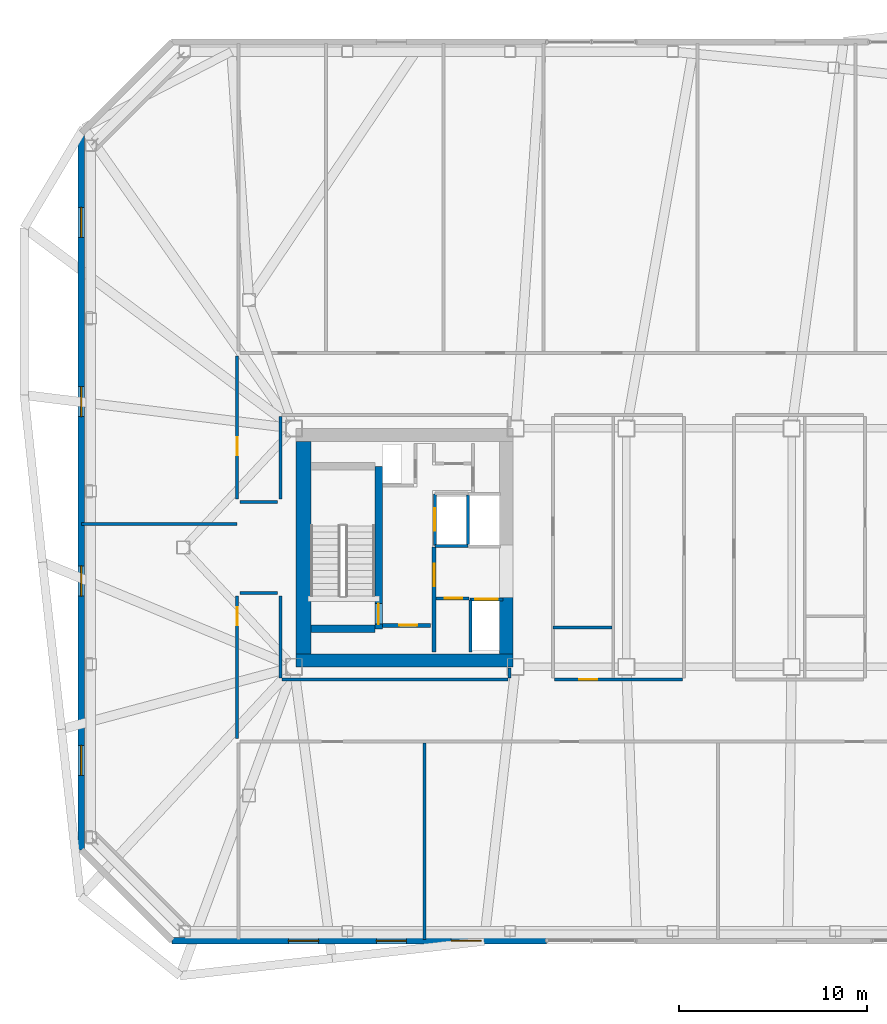
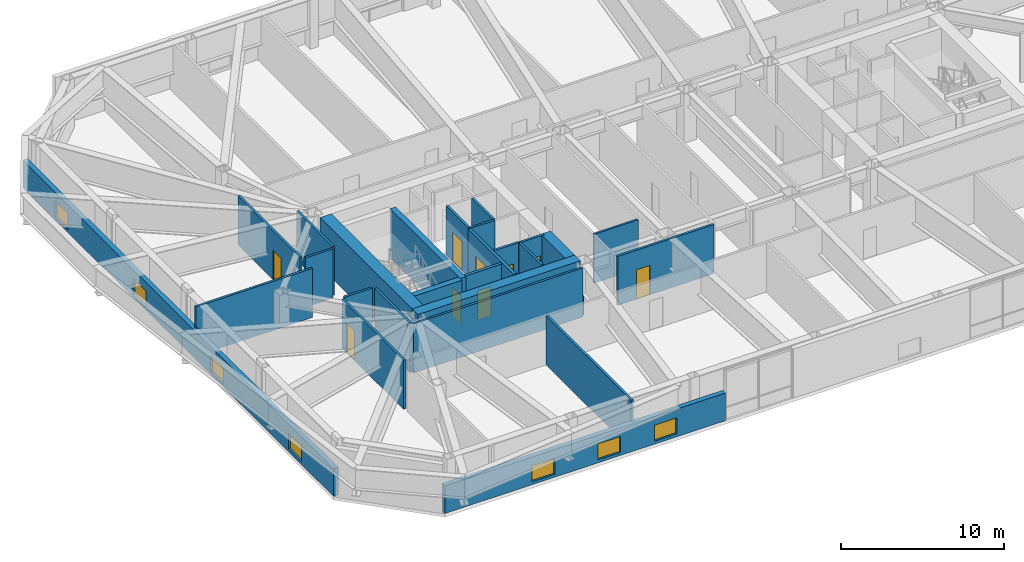
# One storey, part 12 of 19: 27 walls, 9 doors, 7 windows, 16 openings.
"""IFC4 building model written with IfcOpenShell, lengths in metres."""

from ifc_helpers import new_model, si_unit, direction, frame, frame_2d, origin, place, context, subcontext, project, spatial, rectangle, extrude, material, layer, layer_set, type_object, element, fill, save


model = new_model("IFC4")

# Units and contexts
model_context = context("Model", 3, precision=1e-05, world=origin(), true_north=direction((0.0, 1.0)))
body_context = subcontext(model_context, "Body", "Model", "MODEL_VIEW")
ifc_project = project(units=[si_unit("LENGTHUNIT", "METRE"), si_unit("AREAUNIT", "SQUARE_METRE"), si_unit("VOLUMEUNIT", "CUBIC_METRE"), si_unit("PLANEANGLEUNIT", "RADIAN"), si_unit("MASSUNIT", "GRAM", prefix="KILO")], contexts=[model_context])

# Site, building, storey
site_placement = place(None, origin())
site = spatial("IfcSite", under=ifc_project, at=site_placement, CompositionType="ELEMENT")
building_placement = place(site_placement, origin())
building = spatial("IfcBuilding", under=site, at=building_placement, Name="Tavrogorsk Clinical Tower", CompositionType="ELEMENT")
storey_placement = place(building_placement, frame((0.0, 0.0, 204.199951171875)))
storey = spatial("IfcBuildingStorey", under=building, at=storey_placement, Name="L47", CompositionType="ELEMENT", Elevation=204.199951171875)

# Wall, opening, door
ifc_material_1 = material(Name="Concrete B60", Category="concrete")
ifc_layer_1 = layer(ifc_material_1, 0.199951171875)
ifc_layer_set_1 = layer_set([ifc_layer_1], Name="Concrete B60")
wall_type_1 = type_object("IfcWallType", Name="CoreFireWall_200", PredefinedType="SOLIDWALL", material=ifc_layer_set_1)
wall_1_placement = place(storey_placement, frame((-17.3798828125, -4.139892578125, 0.0), z_axis=(0.0, 0.0, 1.0), x_axis=(1.0, 0.0, 0.0)))
wall_1 = element("IfcWall", 1, at=wall_1_placement, inside=storey, type_object=wall_type_1, Name="L47 Core West South Core Room Fire Wall", PredefinedType="SOLIDWALL", context=body_context, shape_type="SweptSolid", body=[
    extrude(rectangle(XDim=2.554931640625, YDim=0.199951171875, at=frame_2d((1.27734375, 0.0))), origin(), (0.0, 0.0, 1.0), 3.679931640625),
])
opening_1_placement = place(wall_1_placement, frame((0.8798828125, 0.0, 0.0)))
opening_1 = element("IfcOpeningElement", 2, at=opening_1_placement, cuts=wall_1, Name="Opening ID-02", PredefinedType="OPENING", context=body_context, shape_type="SweptSolid", body=[
    extrude(rectangle(XDim=0.949951171875, YDim=2.199951171875, at=frame_2d((0.47509765625, 1.10009765625))), frame((0.0, 0.10986328125, 0.0), z_axis=(0.0, -1.0, 0.0), x_axis=(1.0, 0.0, 0.0)), (0.0, 0.0, 1.0), 0.219970703125),
])
ifc_material_2 = material(Name="Laminated timber leaf on aluminium frame", Category="wood")
door_type_1 = type_object("IfcDoorType", Name="InteriorDoor_ID02_950", OperationType="NOTDEFINED", PredefinedType="DOOR", material=ifc_material_2)
door_1_placement = place(opening_1_placement, origin())
door_1 = element("IfcDoor", 3, at=door_1_placement, inside=storey, type_object=door_type_1, Name="L47 Core West South Core Room Door", OperationType="SINGLE_SWING_RIGHT", OverallHeight=2.199951171875, OverallWidth=0.949951171875, PredefinedType="DOOR", context=body_context, shape_type="SweptSolid", body=[
    extrude(rectangle(XDim=0.949951171875, YDim=2.199951171875, at=frame_2d((0.47509765625, 1.10009765625))), frame((0.0, 0.02490234375, 0.0), z_axis=(0.0, -1.0, 0.0), x_axis=(1.0, 0.0, 0.0)), (0.0, 0.0, 1.0), 0.050048828125),
])
fill(opening_1, door_1)

wall_2_placement = place(storey_placement, frame((-14.639892578125, -5.56005859375, 0.0), z_axis=(0.0, 0.0, 1.0), x_axis=(0.0, 1.0, 0.0)))
wall_2 = element("IfcWall", 4, at=wall_2_placement, inside=storey, type_object=wall_type_1, Name="L47 Core West Firefighting Lobby Fire Wall", PredefinedType="SOLIDWALL", context=body_context, shape_type="SweptSolid", body=[
    extrude(rectangle(XDim=5.60009765625, YDim=0.199951171875, at=frame_2d((2.800048828125, 0.0))), origin(), (0.0, 0.0, 1.0), 3.679931640625),
])
opening_2_placement = place(wall_2_placement, frame((3.510009765625, 0.0, 0.0)))
opening_2 = element("IfcOpeningElement", 5, at=opening_2_placement, cuts=wall_2, Name="Opening FD-01", PredefinedType="OPENING", context=body_context, shape_type="SweptSolid", body=[
    extrude(rectangle(XDim=1.199951171875, YDim=2.199951171875, at=frame_2d((0.60009765625, 1.10009765625))), frame((0.0, 0.10986328125, 0.0), z_axis=(0.0, -1.0, 0.0), x_axis=(1.0, 0.0, 0.0)), (0.0, 0.0, 1.0), 0.219970703125),
])
ifc_material_3 = material(Name="Galvanised steel fire-rated door assembly", Category="steel")
door_type_2 = type_object("IfcDoorType", Name="FireDoor_FD01_1200", OperationType="NOTDEFINED", PredefinedType="DOOR", material=ifc_material_3)
door_2_placement = place(opening_2_placement, origin())
door_2 = element("IfcDoor", 6, at=door_2_placement, inside=storey, type_object=door_type_2, Name="L47 Core West Firefighting Lobby Entry Door", OperationType="SINGLE_SWING_RIGHT", OverallHeight=2.199951171875, OverallWidth=1.199951171875, PredefinedType="DOOR", context=body_context, shape_type="SweptSolid", body=[
    extrude(rectangle(XDim=1.199951171875, YDim=2.199951171875, at=frame_2d((0.60009765625, 1.10009765625))), frame((0.0, 0.02490234375, 0.0), z_axis=(0.0, -1.0, 0.0), x_axis=(1.0, 0.0, 0.0)), (0.0, 0.0, 1.0), 0.050048828125),
])
fill(opening_2, door_2)

# Wall
ifc_material_4 = material(Name="Lightweight concrete blockwork B15", Category="masonry")
ifc_layer_2 = layer(ifc_material_4, 0.139892578125)
ifc_layer_set_2 = layer_set([ifc_layer_2], Name="Lightweight concrete blockwork B15")
wall_type_2 = type_object("IfcWallType", Name="PartitionWall_140", PredefinedType="PARTITIONING", material=ifc_layer_set_2)
wall_3_placement = place(storey_placement, frame((-8.31494140625, -4.25, 0.0), z_axis=(0.0, 0.0, 1.0), x_axis=(1.0, 0.0, 0.0)))
element("IfcWall", 7, at=wall_3_placement, inside=storey, type_object=wall_type_2, Name="L47 Central Spine Partition 3", PredefinedType="PARTITIONING", context=body_context, shape_type="SweptSolid", body=[
    extrude(rectangle(XDim=3.139892578125, YDim=0.139892578125, at=frame_2d((1.56982421875, 0.0))), origin(), (0.0, 0.0, 1.0), 3.679931640625),
])

# Wall, opening, door
ifc_material_5 = material(Name="Lightweight concrete blockwork B15", Category="masonry")
ifc_layer_3 = layer(ifc_material_5, 0.159912109375)
ifc_layer_set_3 = layer_set([ifc_layer_3], Name="Lightweight concrete blockwork B15")
wall_type_3 = type_object("IfcWallType", Name="PartitionWall_160", PredefinedType="PARTITIONING", material=ifc_layer_set_3)
wall_4_placement = place(storey_placement, frame((-14.534912109375, -2.699951171875, 0.0), z_axis=(0.0, 0.0, 1.0), x_axis=(1.0, 0.0, 0.0)))
wall_4 = element("IfcWall", 8, at=wall_4_placement, inside=storey, type_object=wall_type_3, Name="L47 Core West Freed Low-Bank North Partition", PredefinedType="PARTITIONING", context=body_context, shape_type="SweptSolid", body=[
    extrude(rectangle(XDim=1.760009765625, YDim=0.159912109375, at=frame_2d((0.8798828125, 0.0))), origin(), (0.0, 0.0, 1.0), 3.679931640625),
])
opening_3_placement = place(wall_4_placement, frame((0.449951171875, 0.0, 0.0)))
opening_3 = element("IfcOpeningElement", 9, at=opening_3_placement, cuts=wall_4, Name="Opening ID-02", PredefinedType="OPENING", context=body_context, shape_type="SweptSolid", body=[
    extrude(rectangle(XDim=0.949951171875, YDim=2.199951171875, at=frame_2d((0.47509765625, 1.10009765625))), frame((0.0, 0.08984375, 0.0), z_axis=(0.0, -1.0, 0.0), x_axis=(1.0, 0.0, 0.0)), (0.0, 0.0, 1.0), 0.179931640625),
])
door_3_placement = place(opening_3_placement, origin())
door_3 = element("IfcDoor", 10, at=door_3_placement, inside=storey, type_object=door_type_1, Name="L47 Core West Biomedical Alcove Door", OperationType="SINGLE_SWING_LEFT", OverallHeight=2.199951171875, OverallWidth=0.949951171875, PredefinedType="DOOR", context=body_context, shape_type="SweptSolid", body=[
    extrude(rectangle(XDim=0.949951171875, YDim=2.199951171875, at=frame_2d((0.47509765625, 1.10009765625))), frame((0.0, 0.02490234375, 0.0), z_axis=(0.0, -1.0, 0.0), x_axis=(1.0, 0.0, 0.0)), (0.0, 0.0, 1.0), 0.050048828125),
])
fill(opening_3, door_3)

wall_5_placement = place(storey_placement, frame((-25.1298828125, -10.1650390625, 0.0), z_axis=(0.0, 0.0, 1.0), x_axis=(0.0, 1.0, 0.0)))
wall_5 = element("IfcWall", 11, at=wall_5_placement, inside=storey, type_object=wall_type_3, Name="L47 Corridor Partition 01", PredefinedType="PARTITIONING", context=body_context, shape_type="SweptSolid", body=[
    extrude(rectangle(XDim=7.580078125, YDim=0.159912109375, at=frame_2d((3.7900390625, 0.0))), origin(), (0.0, 0.0, 1.0), 3.679931640625),
])
opening_4_placement = place(wall_5_placement, frame((6.0400390625, 0.0, 0.0)))
opening_4 = element("IfcOpeningElement", 12, at=opening_4_placement, cuts=wall_5, Name="Opening ID-02", PredefinedType="OPENING", context=body_context, shape_type="SweptSolid", body=[
    extrude(rectangle(XDim=0.949951171875, YDim=2.199951171875, at=frame_2d((0.47509765625, 1.10009765625))), frame((0.0, 0.08984375, 0.0), z_axis=(0.0, -1.0, 0.0), x_axis=(1.0, 0.0, 0.0)), (0.0, 0.0, 1.0), 0.179931640625),
])
door_4_placement = place(opening_4_placement, origin())
door_4 = element("IfcDoor", 13, at=door_4_placement, inside=storey, type_object=door_type_1, Name="L47 W Solarium Day Room & Lounge 1 Door", OperationType="SINGLE_SWING_LEFT", OverallHeight=2.199951171875, OverallWidth=0.949951171875, PredefinedType="DOOR", context=body_context, shape_type="SweptSolid", body=[
    extrude(rectangle(XDim=0.949951171875, YDim=2.199951171875, at=frame_2d((0.47509765625, 1.10009765625))), frame((0.0, 0.02490234375, 0.0), z_axis=(0.0, -1.0, 0.0), x_axis=(1.0, 0.0, 0.0)), (0.0, 0.0, 1.0), 0.050048828125),
])
fill(opening_4, door_4)

# Walls
wall_6_placement = place(storey_placement, frame((-24.965087890625, -2.419921875, 0.0), z_axis=(0.0, 0.0, 1.0), x_axis=(1.0, 0.0, 0.0)))
element("IfcWall", 14, at=wall_6_placement, inside=storey, type_object=wall_type_3, Name="L47 Corridor Partition 02", PredefinedType="PARTITIONING", context=body_context, shape_type="SweptSolid", body=[
    extrude(rectangle(XDim=1.97998046875, YDim=0.159912109375, at=frame_2d((0.989990234375, 0.0))), origin(), (0.0, 0.0, 1.0), 3.679931640625),
])
wall_7_placement = place(storey_placement, frame((-22.820068359375, -2.5849609375, 0.0), z_axis=(0.0, 0.0, 1.0), x_axis=(0.0, -1.0, 0.0)))
element("IfcWall", 15, at=wall_7_placement, inside=storey, type_object=wall_type_3, Name="L47 Corridor Partition 03", PredefinedType="PARTITIONING", context=body_context, shape_type="SweptSolid", body=[
    extrude(rectangle(XDim=4.35009765625, YDim=0.159912109375, at=frame_2d((2.175048828125, 0.0))), origin(), (0.0, 0.0, 1.0), 3.679931640625),
])
wall_8_placement = place(storey_placement, frame((-22.735107421875, -7.02001953125, 0.0), z_axis=(0.0, 0.0, 1.0), x_axis=(1.0, 0.0, 0.0)))
element("IfcWall", 16, at=wall_8_placement, inside=storey, type_object=wall_type_3, Name="L47 Corridor Partition 04", PredefinedType="PARTITIONING", context=body_context, shape_type="SweptSolid", body=[
    extrude(rectangle(XDim=12.02001953125, YDim=0.159912109375, at=frame_2d((6.010009765625, 0.0))), origin(), (0.0, 0.0, 1.0), 3.679931640625),
])
wall_9_placement = place(storey_placement, frame((-10.6298828125, -6.93505859375, 0.0), z_axis=(0.0, 0.0, 1.0), x_axis=(0.0, 1.0, 0.0)))
element("IfcWall", 17, at=wall_9_placement, inside=storey, type_object=wall_type_3, Name="L47 Corridor Partition 05", PredefinedType="PARTITIONING", context=body_context, shape_type="SweptSolid", body=[
    extrude(rectangle(XDim=0.51513671875, YDim=0.159912109375, at=frame_2d((0.257568359375, 0.0))), origin(), (0.0, 0.0, 1.0), 1.47509765625),
])
wall_10_placement = place(storey_placement, frame((-22.820068359375, 6.985107421875, 0.0), z_axis=(0.0, 0.0, 1.0), x_axis=(0.0, -1.0, 0.0)))
element("IfcWall", 18, at=wall_10_placement, inside=storey, type_object=wall_type_3, Name="L47 Corridor Partition 08", PredefinedType="PARTITIONING", context=body_context, shape_type="SweptSolid", body=[
    extrude(rectangle(XDim=4.400146484375, YDim=0.159912109375, at=frame_2d((2.2001953125, 0.0))), origin(), (0.0, 0.0, 1.0), 3.679931640625),
])
wall_11_placement = place(storey_placement, frame((-22.985107421875, 2.419921875, 0.0), z_axis=(0.0, 0.0, 1.0), x_axis=(-1.0, 0.0, 0.0)))
element("IfcWall", 19, at=wall_11_placement, inside=storey, type_object=wall_type_3, Name="L47 Corridor Partition 09", PredefinedType="PARTITIONING", context=body_context, shape_type="SweptSolid", body=[
    extrude(rectangle(XDim=1.97998046875, YDim=0.159912109375, at=frame_2d((0.989990234375, 0.0))), origin(), (0.0, 0.0, 1.0), 3.679931640625),
])

# Wall, opening, door
wall_12_placement = place(storey_placement, frame((-25.1298828125, 2.5849609375, 0.0), z_axis=(0.0, 0.0, 1.0), x_axis=(0.0, 1.0, 0.0)))
wall_12 = element("IfcWall", 20, at=wall_12_placement, inside=storey, type_object=wall_type_3, Name="L47 Corridor Partition 10", PredefinedType="PARTITIONING", context=body_context, shape_type="SweptSolid", body=[
    extrude(rectangle(XDim=7.630126953125, YDim=0.159912109375, at=frame_2d((3.81494140625, 0.0))), origin(), (0.0, 0.0, 1.0), 3.679931640625),
])
opening_5_placement = place(wall_12_placement, frame((2.344970703125, 0.0, 0.0)))
opening_5 = element("IfcOpeningElement", 21, at=opening_5_placement, cuts=wall_12, Name="Opening ID-02", PredefinedType="OPENING", context=body_context, shape_type="SweptSolid", body=[
    extrude(rectangle(XDim=0.949951171875, YDim=2.199951171875, at=frame_2d((0.47509765625, 1.10009765625))), frame((0.0, 0.08984375, 0.0), z_axis=(0.0, -1.0, 0.0), x_axis=(1.0, 0.0, 0.0)), (0.0, 0.0, 1.0), 0.179931640625),
])
door_5_placement = place(opening_5_placement, origin())
door_5 = element("IfcDoor", 22, at=door_5_placement, inside=storey, type_object=door_type_1, Name="L47 W Rehabilitation Therapy Suite 2 Door", OperationType="SINGLE_SWING_RIGHT", OverallHeight=2.199951171875, OverallWidth=0.949951171875, PredefinedType="DOOR", context=body_context, shape_type="SweptSolid", body=[
    extrude(rectangle(XDim=0.949951171875, YDim=2.199951171875, at=frame_2d((0.47509765625, 1.10009765625))), frame((0.0, 0.02490234375, 0.0), z_axis=(0.0, -1.0, 0.0), x_axis=(1.0, 0.0, 0.0)), (0.0, 0.0, 1.0), 0.050048828125),
])
fill(opening_5, door_5)

wall_13_placement = place(storey_placement, frame((-8.235107421875, -7.02001953125, 0.0), z_axis=(0.0, 0.0, 1.0), x_axis=(1.0, 0.0, 0.0)))
wall_13 = element("IfcWall", 23, at=wall_13_placement, inside=storey, type_object=wall_type_3, Name="L47 Corridor Partition 26", PredefinedType="PARTITIONING", context=body_context, shape_type="SweptSolid", body=[
    extrude(rectangle(XDim=6.820068359375, YDim=0.159912109375, at=frame_2d((3.41015625, 0.0))), origin(), (0.0, 0.0, 1.0), 3.679931640625),
])
opening_6_placement = place(wall_13_placement, frame((1.3291015625, 0.0, 0.0)))
opening_6 = element("IfcOpeningElement", 24, at=opening_6_placement, cuts=wall_13, Name="Opening ID-02", PredefinedType="OPENING", context=body_context, shape_type="SweptSolid", body=[
    extrude(rectangle(XDim=0.949951171875, YDim=2.199951171875, at=frame_2d((0.47509765625, 1.10009765625))), frame((0.0, 0.08984375, 0.0), z_axis=(0.0, -1.0, 0.0), x_axis=(1.0, 0.0, 0.0)), (0.0, 0.0, 1.0), 0.179931640625),
])
door_6_placement = place(opening_6_placement, origin())
door_6 = element("IfcDoor", 25, at=door_6_placement, inside=storey, type_object=door_type_1, Name="L47 Accessible Patient Lavatory Door", OperationType="SINGLE_SWING_LEFT", OverallHeight=2.199951171875, OverallWidth=0.949951171875, PredefinedType="DOOR", context=body_context, shape_type="SweptSolid", body=[
    extrude(rectangle(XDim=0.949951171875, YDim=2.199951171875, at=frame_2d((0.47509765625, 1.10009765625))), frame((0.0, 0.02490234375, 0.0), z_axis=(0.0, -1.0, 0.0), x_axis=(1.0, 0.0, 0.0)), (0.0, 0.0, 1.0), 0.050048828125),
])
fill(opening_6, door_6)

# Walls
wall_14_placement = place(storey_placement, frame((-15.159912109375, -20.860107421875, 0.0), z_axis=(0.0, 0.0, 1.0), x_axis=(0.0, 1.0, 0.0)))
element("IfcWall", 26, at=wall_14_placement, inside=storey, type_object=wall_type_3, Name="L47 South Room Partition 1", PredefinedType="PARTITIONING", context=body_context, shape_type="SweptSolid", body=[
    extrude(rectangle(XDim=10.445068359375, YDim=0.159912109375, at=frame_2d((5.22265625, 0.0))), origin(), (0.0, 0.0, 1.0), 3.679931640625),
])
wall_15_placement = place(storey_placement, frame((-33.409912109375, 1.25, 0.0), z_axis=(0.0, 0.0, 1.0), x_axis=(1.0, 0.0, 0.0)))
element("IfcWall", 27, at=wall_15_placement, inside=storey, type_object=wall_type_3, Name="L47 W Wing Divider 1", PredefinedType="PARTITIONING", context=body_context, shape_type="SweptSolid", body=[
    extrude(rectangle(XDim=8.280029296875, YDim=0.159912109375, at=frame_2d((4.14013671875, 0.0))), origin(), (0.0, 0.0, 1.0), 3.679931640625),
])

# Wall, openings, windows
ifc_material_6 = material(Name="Precast concrete B45 with limestone cladding", Category="masonry")
ifc_layer_4 = layer(ifc_material_6, 0.340087890625)
ifc_layer_set_4 = layer_set([ifc_layer_4], Name="Precast concrete B45 with limestone cladding")
wall_type_4 = type_object("IfcWallType", Name="PrecastLimestoneWall_340", PredefinedType="STANDARD", material=ifc_layer_set_4)
wall_16_placement = place(storey_placement, frame((-28.60009765625, -20.929931640625, 0.0), z_axis=(0.0, 0.0, 1.0), x_axis=(1.0, 0.0, 0.0)))
wall_16 = element("IfcWall", 28, at=wall_16_placement, inside=storey, type_object=wall_type_4, Name="L47 S Limestone Facade Wall 1", PredefinedType="STANDARD", context=body_context, shape_type="SweptSolid", body=[
    extrude(rectangle(XDim=19.937255859375, YDim=0.340087890625, at=frame_2d((9.96875, 0.0))), origin(), (0.0, 0.0, 1.0), 2.074951171875),
])
opening_7_placement = place(wall_16_placement, frame((6.203857421875, 0.0, 0.219970703125)))
opening_7 = element("IfcOpeningElement", 29, at=opening_7_placement, cuts=wall_16, Name="Opening WN-09", PredefinedType="OPENING", context=body_context, shape_type="SweptSolid", body=[
    extrude(rectangle(XDim=1.60009765625, YDim=1.199951171875, at=frame_2d((0.800048828125, 0.60009765625))), frame((0.0, 0.179931640625, 0.0), z_axis=(0.0, -1.0, 0.0), x_axis=(1.0, 0.0, 0.0)), (0.0, 0.0, 1.0), 0.360107421875),
])
opening_8_placement = place(wall_16_placement, frame((10.8818359375, 0.0, 0.219970703125)))
opening_8 = element("IfcOpeningElement", 30, at=opening_8_placement, cuts=wall_16, Name="Opening WN-09", PredefinedType="OPENING", context=body_context, shape_type="SweptSolid", body=[
    extrude(rectangle(XDim=1.60009765625, YDim=1.199951171875, at=frame_2d((0.800048828125, 0.60009765625))), frame((0.0, 0.179931640625, 0.0), z_axis=(0.0, -1.0, 0.0), x_axis=(1.0, 0.0, 0.0)), (0.0, 0.0, 1.0), 0.360107421875),
])
opening_9_placement = place(wall_16_placement, frame((14.86669921875, 0.0, 0.219970703125)))
opening_9 = element("IfcOpeningElement", 31, at=opening_9_placement, cuts=wall_16, Name="Opening WN-09", PredefinedType="OPENING", context=body_context, shape_type="SweptSolid", body=[
    extrude(rectangle(XDim=1.60009765625, YDim=1.199951171875, at=frame_2d((0.800048828125, 0.60009765625))), frame((0.0, 0.179931640625, 0.0), z_axis=(0.0, -1.0, 0.0), x_axis=(1.0, 0.0, 0.0)), (0.0, 0.0, 1.0), 0.360107421875),
])
ifc_material_7 = material(Name="Thermally broken aluminium frame and triple IGU", Category="aluminium")
window_type = type_object("IfcWindowType", Name="LowHeadTransWin_1600x1200", PartitioningType="DOUBLE_PANEL_VERTICAL", PredefinedType="WINDOW", material=ifc_material_7)
window_1_placement = place(opening_7_placement, origin())
window_1 = element("IfcWindow", 32, at=window_1_placement, inside=storey, type_object=window_type, Name="L47 S Chicago Window 02", OverallHeight=1.199951171875, OverallWidth=1.60009765625, PartitioningType="SINGLE_PANEL", PredefinedType="WINDOW", context=body_context, shape_type="SweptSolid", body=[
    extrude(rectangle(XDim=1.60009765625, YDim=1.199951171875, at=frame_2d((0.800048828125, 0.60009765625))), frame((0.0, 0.030029296875, 0.0), z_axis=(0.0, -1.0, 0.0), x_axis=(1.0, 0.0, 0.0)), (0.0, 0.0, 1.0), 0.06005859375),
])
fill(opening_7, window_1)
window_2_placement = place(opening_8_placement, origin())
window_2 = element("IfcWindow", 33, at=window_2_placement, inside=storey, type_object=window_type, Name="L47 S Chicago Window 03", OverallHeight=1.199951171875, OverallWidth=1.60009765625, PartitioningType="SINGLE_PANEL", PredefinedType="WINDOW", context=body_context, shape_type="SweptSolid", body=[
    extrude(rectangle(XDim=1.60009765625, YDim=1.199951171875, at=frame_2d((0.800048828125, 0.60009765625))), frame((0.0, 0.030029296875, 0.0), z_axis=(0.0, -1.0, 0.0), x_axis=(1.0, 0.0, 0.0)), (0.0, 0.0, 1.0), 0.06005859375),
])
fill(opening_8, window_2)
window_3_placement = place(opening_9_placement, origin())
window_3 = element("IfcWindow", 34, at=window_3_placement, inside=storey, type_object=window_type, Name="L47 S Chicago Window 04", OverallHeight=1.199951171875, OverallWidth=1.60009765625, PartitioningType="SINGLE_PANEL", PredefinedType="WINDOW", context=body_context, shape_type="SweptSolid", body=[
    extrude(rectangle(XDim=1.60009765625, YDim=1.199951171875, at=frame_2d((0.800048828125, 0.60009765625))), frame((0.0, 0.030029296875, 0.0), z_axis=(0.0, -1.0, 0.0), x_axis=(1.0, 0.0, 0.0)), (0.0, 0.0, 1.0), 0.06005859375),
])
fill(opening_9, window_3)

wall_17_placement = place(storey_placement, frame((-33.429931640625, 22.10009765625, 0.0), z_axis=(0.0, 0.0, 1.0), x_axis=(0.0, -1.0, 0.0)))
wall_17 = element("IfcWall", 35, at=wall_17_placement, inside=storey, type_object=wall_type_4, Name="L47 W Pleated Limestone Wing Wall", PredefinedType="STANDARD", context=body_context, shape_type="SweptSolid", body=[
    extrude(rectangle(XDim=38.2001953125, YDim=0.340087890625, at=frame_2d((19.10009765625, 0.0))), origin(), (0.0, 0.0, 1.0), 2.074951171875),
])
opening_10_placement = place(wall_17_placement, frame((3.97509765625, 0.0, 0.219970703125)))
opening_10 = element("IfcOpeningElement", 36, at=opening_10_placement, cuts=wall_17, Name="Opening WN-09", PredefinedType="OPENING", context=body_context, shape_type="SweptSolid", body=[
    extrude(rectangle(XDim=1.60009765625, YDim=1.199951171875, at=frame_2d((0.800048828125, 0.60009765625))), frame((0.0, 0.179931640625, 0.0), z_axis=(0.0, -1.0, 0.0), x_axis=(1.0, 0.0, 0.0)), (0.0, 0.0, 1.0), 0.360107421875),
])
opening_11_placement = place(wall_17_placement, frame((13.52490234375, 0.0, 0.219970703125)))
opening_11 = element("IfcOpeningElement", 37, at=opening_11_placement, cuts=wall_17, Name="Opening WN-09", PredefinedType="OPENING", context=body_context, shape_type="SweptSolid", body=[
    extrude(rectangle(XDim=1.60009765625, YDim=1.199951171875, at=frame_2d((0.800048828125, 0.60009765625))), frame((0.0, 0.179931640625, 0.0), z_axis=(0.0, -1.0, 0.0), x_axis=(1.0, 0.0, 0.0)), (0.0, 0.0, 1.0), 0.360107421875),
])
opening_12_placement = place(wall_17_placement, frame((23.074951171875, 0.0, 0.219970703125)))
opening_12 = element("IfcOpeningElement", 38, at=opening_12_placement, cuts=wall_17, Name="Opening WN-09", PredefinedType="OPENING", context=body_context, shape_type="SweptSolid", body=[
    extrude(rectangle(XDim=1.60009765625, YDim=1.199951171875, at=frame_2d((0.800048828125, 0.60009765625))), frame((0.0, 0.179931640625, 0.0), z_axis=(0.0, -1.0, 0.0), x_axis=(1.0, 0.0, 0.0)), (0.0, 0.0, 1.0), 0.360107421875),
])
opening_13_placement = place(wall_17_placement, frame((32.625, 0.0, 0.219970703125)))
opening_13 = element("IfcOpeningElement", 39, at=opening_13_placement, cuts=wall_17, Name="Opening WN-09", PredefinedType="OPENING", context=body_context, shape_type="SweptSolid", body=[
    extrude(rectangle(XDim=1.60009765625, YDim=1.199951171875, at=frame_2d((0.800048828125, 0.60009765625))), frame((0.0, 0.179931640625, 0.0), z_axis=(0.0, -1.0, 0.0), x_axis=(1.0, 0.0, 0.0)), (0.0, 0.0, 1.0), 0.360107421875),
])
window_4_placement = place(opening_10_placement, origin())
window_4 = element("IfcWindow", 40, at=window_4_placement, inside=storey, type_object=window_type, Name="L47 W Pleat Slot Window 1", OverallHeight=1.199951171875, OverallWidth=1.60009765625, PartitioningType="SINGLE_PANEL", PredefinedType="WINDOW", context=body_context, shape_type="SweptSolid", body=[
    extrude(rectangle(XDim=1.60009765625, YDim=1.199951171875, at=frame_2d((0.800048828125, 0.60009765625))), frame((0.0, 0.030029296875, 0.0), z_axis=(0.0, -1.0, 0.0), x_axis=(1.0, 0.0, 0.0)), (0.0, 0.0, 1.0), 0.06005859375),
])
fill(opening_10, window_4)
window_5_placement = place(opening_11_placement, origin())
window_5 = element("IfcWindow", 41, at=window_5_placement, inside=storey, type_object=window_type, Name="L47 W Pleat Slot Window 2", OverallHeight=1.199951171875, OverallWidth=1.60009765625, PartitioningType="SINGLE_PANEL", PredefinedType="WINDOW", context=body_context, shape_type="SweptSolid", body=[
    extrude(rectangle(XDim=1.60009765625, YDim=1.199951171875, at=frame_2d((0.800048828125, 0.60009765625))), frame((0.0, 0.030029296875, 0.0), z_axis=(0.0, -1.0, 0.0), x_axis=(1.0, 0.0, 0.0)), (0.0, 0.0, 1.0), 0.06005859375),
])
fill(opening_11, window_5)
window_6_placement = place(opening_12_placement, origin())
window_6 = element("IfcWindow", 42, at=window_6_placement, inside=storey, type_object=window_type, Name="L47 W Pleat Slot Window 3", OverallHeight=1.199951171875, OverallWidth=1.60009765625, PartitioningType="SINGLE_PANEL", PredefinedType="WINDOW", context=body_context, shape_type="SweptSolid", body=[
    extrude(rectangle(XDim=1.60009765625, YDim=1.199951171875, at=frame_2d((0.800048828125, 0.60009765625))), frame((0.0, 0.030029296875, 0.0), z_axis=(0.0, -1.0, 0.0), x_axis=(1.0, 0.0, 0.0)), (0.0, 0.0, 1.0), 0.06005859375),
])
fill(opening_12, window_6)
window_7_placement = place(opening_13_placement, origin())
window_7 = element("IfcWindow", 43, at=window_7_placement, inside=storey, type_object=window_type, Name="L47 W Pleat Slot Window 4", OverallHeight=1.199951171875, OverallWidth=1.60009765625, PartitioningType="SINGLE_PANEL", PredefinedType="WINDOW", context=body_context, shape_type="SweptSolid", body=[
    extrude(rectangle(XDim=1.60009765625, YDim=1.199951171875, at=frame_2d((0.800048828125, 0.60009765625))), frame((0.0, 0.030029296875, 0.0), z_axis=(0.0, -1.0, 0.0), x_axis=(1.0, 0.0, 0.0)), (0.0, 0.0, 1.0), 0.06005859375),
])
fill(opening_13, window_7)

# Wall, opening, door
ifc_material_8 = material(Name="Lightweight concrete blockwork B25", Category="masonry")
ifc_layer_5 = layer(ifc_material_8, 0.159912109375)
ifc_layer_set_5 = layer_set([ifc_layer_5], Name="Lightweight concrete blockwork B25")
wall_type_5 = type_object("IfcWallType", Name="ShaftWall_160", PredefinedType="PARTITIONING", material=ifc_layer_set_5)
wall_18_placement = place(storey_placement, frame((-14.60009765625, 0.1201171875, 0.0), z_axis=(0.0, 0.0, 1.0), x_axis=(0.0, 1.0, 0.0)))
wall_18 = element("IfcWall", 44, at=wall_18_placement, inside=storey, type_object=wall_type_5, Name="L47 FFL-W Firefighting Lift Front Wall", PredefinedType="PARTITIONING", context=body_context, shape_type="SweptSolid", body=[
    extrude(rectangle(XDim=2.739990234375, YDim=0.159912109375, at=frame_2d((1.3701171875, 0.0))), origin(), (0.0, 0.0, 1.0), 3.679931640625),
])
opening_14_placement = place(wall_18_placement, frame((0.77001953125, 0.0, 0.0)))
opening_14 = element("IfcOpeningElement", 45, at=opening_14_placement, cuts=wall_18, Name="Opening LD", PredefinedType="OPENING", context=body_context, shape_type="SweptSolid", body=[
    extrude(rectangle(XDim=1.199951171875, YDim=2.199951171875, at=frame_2d((0.60009765625, 1.10009765625))), frame((0.0, 0.08984375, 0.0), z_axis=(0.0, -1.0, 0.0), x_axis=(1.0, 0.0, 0.0)), (0.0, 0.0, 1.0), 0.179931640625),
])
ifc_material_9 = material(Name="Brushed stainless steel AISI 304 sliding doors", Category="steel")
door_type_3 = type_object("IfcDoorType", Name="LiftLandingDoor_LD_1200", OperationType="SLIDING_TO_LEFT", PredefinedType="DOOR", material=ifc_material_9)
door_7_placement = place(opening_14_placement, origin())
door_7 = element("IfcDoor", 46, at=door_7_placement, inside=storey, type_object=door_type_3, Name="L47 FFL-W Sliding Lift Landing Door", OperationType="SLIDING_TO_LEFT", OverallHeight=2.199951171875, OverallWidth=1.199951171875, PredefinedType="DOOR", context=body_context, shape_type="SweptSolid", body=[
    extrude(rectangle(XDim=1.199951171875, YDim=2.199951171875, at=frame_2d((0.60009765625, 1.10009765625))), frame((0.0, 0.02490234375, 0.0), z_axis=(0.0, -1.0, 0.0), x_axis=(1.0, 0.0, 0.0)), (0.0, 0.0, 1.0), 0.050048828125),
])
fill(opening_14, door_7)

# Walls
wall_19_placement = place(storey_placement, frame((-14.60009765625, 0.10009765625, 0.0), z_axis=(0.0, 0.0, 1.0), x_axis=(1.0, 0.0, 0.0)))
element("IfcWall", 47, at=wall_19_placement, inside=storey, type_object=wall_type_5, Name="L47 FFL-W Shaft South Wall", PredefinedType="PARTITIONING", context=body_context, shape_type="SweptSolid", body=[
    extrude(rectangle(XDim=1.760009765625, YDim=0.159912109375, at=frame_2d((0.8798828125, 0.0))), origin(), (0.0, 0.0, 1.0), 3.679931640625),
])
wall_20_placement = place(storey_placement, frame((-12.840087890625, 0.179931640625, 0.0), z_axis=(0.0, 0.0, 1.0), x_axis=(0.0, 1.0, 0.0)))
element("IfcWall", 48, at=wall_20_placement, inside=storey, type_object=wall_type_5, Name="L47 FFL-W Shaft Back Wall", PredefinedType="PARTITIONING", context=body_context, shape_type="SweptSolid", body=[
    extrude(rectangle(XDim=2.6201171875, YDim=0.159912109375, at=frame_2d((1.31005859375, 0.0))), origin(), (0.0, 0.0, 1.0), 3.679931640625),
])

# Wall, opening, door
wall_21_placement = place(storey_placement, frame((-12.72998046875, -2.75, 0.0), z_axis=(0.0, 0.0, 1.0), x_axis=(1.0, 0.0, 0.0)))
wall_21 = element("IfcWall", 49, at=wall_21_placement, inside=storey, type_object=wall_type_5, Name="L47 LP-M1 Lift Shaft Portal Wall", PredefinedType="PARTITIONING", context=body_context, shape_type="SweptSolid", body=[
    extrude(rectangle(XDim=1.760009765625, YDim=0.159912109375, at=frame_2d((0.8798828125, 0.0))), origin(), (0.0, 0.0, 1.0), 3.679931640625),
])
opening_15_placement = place(wall_21_placement, frame((0.280029296875, 0.0, 0.0)))
opening_15 = element("IfcOpeningElement", 50, at=opening_15_placement, cuts=wall_21, Name="Opening LD", PredefinedType="OPENING", context=body_context, shape_type="SweptSolid", body=[
    extrude(rectangle(XDim=1.199951171875, YDim=2.199951171875, at=frame_2d((0.60009765625, 1.10009765625))), frame((0.0, 0.08984375, 0.0), z_axis=(0.0, -1.0, 0.0), x_axis=(1.0, 0.0, 0.0)), (0.0, 0.0, 1.0), 0.179931640625),
])
door_8_placement = place(opening_15_placement, origin())
door_8 = element("IfcDoor", 51, at=door_8_placement, inside=storey, type_object=door_type_3, Name="L47 LP-M1 Sliding Lift Landing Door", OperationType="SLIDING_TO_LEFT", OverallHeight=2.199951171875, OverallWidth=1.199951171875, PredefinedType="DOOR", context=body_context, shape_type="SweptSolid", body=[
    extrude(rectangle(XDim=1.199951171875, YDim=2.199951171875, at=frame_2d((0.60009765625, 1.10009765625))), frame((0.0, 0.02490234375, 0.0), z_axis=(0.0, -1.0, 0.0), x_axis=(1.0, 0.0, 0.0)), (0.0, 0.0, 1.0), 0.050048828125),
])
fill(opening_15, door_8)

# Wall
wall_22_placement = place(storey_placement, frame((-12.68994140625, -5.56005859375, 0.0), z_axis=(0.0, 0.0, 1.0), x_axis=(0.0, 1.0, 0.0)))
element("IfcWall", 52, at=wall_22_placement, inside=storey, type_object=wall_type_5, Name="L47 Core West Freed Low-Bank Shaft Divider", PredefinedType="PARTITIONING", context=body_context, shape_type="SweptSolid", body=[
    extrude(rectangle(XDim=2.775146484375, YDim=0.159912109375, at=frame_2d((1.3876953125, 0.0))), origin(), (0.0, 0.0, 1.0), 3.679931640625),
])

# Wall, opening, door
ifc_material_10 = material(Name="Concrete B80", Category="concrete")
ifc_layer_6 = layer(ifc_material_10, 0.39990234375)
ifc_layer_set_6 = layer_set([ifc_layer_6], Name="Concrete B80")
wall_type_6 = type_object("IfcWallType", Name="ShearWall_400", PredefinedType="SHEAR", material=ifc_layer_set_6)
wall_23_placement = place(storey_placement, frame((-17.60009765625, -4.324951171875, 0.0), z_axis=(0.0, 0.0, 1.0), x_axis=(0.0, 1.0, 0.0)))
wall_23 = element("IfcWall", 53, at=wall_23_placement, inside=storey, type_object=wall_type_6, Name="L47 Core West Stair Shaft Inner Shear Wall", PredefinedType="SHEAR", context=body_context, shape_type="SweptSolid", body=[
    extrude(rectangle(XDim=8.64990234375, YDim=0.39990234375, at=frame_2d((4.324951171875, 0.0))), origin(), (0.0, 0.0, 1.0), 3.679931640625),
])
opening_16_placement = place(wall_23_placement, frame((0.25, 0.0, 0.0)))
opening_16 = element("IfcOpeningElement", 54, at=opening_16_placement, cuts=wall_23, Name="Opening SD-01", PredefinedType="OPENING", context=body_context, shape_type="SweptSolid", body=[
    extrude(rectangle(XDim=1.10009765625, YDim=2.199951171875, at=frame_2d((0.550048828125, 1.10009765625))), frame((0.0, 0.2099609375, 0.0), z_axis=(0.0, -1.0, 0.0), x_axis=(1.0, 0.0, 0.0)), (0.0, 0.0, 1.0), 0.419921875),
])
ifc_material_11 = material(Name="Galvanised steel smoke-tight fire door assembly", Category="steel")
door_type_4 = type_object("IfcDoorType", Name="StairFireDoor_SD01_1100", OperationType="NOTDEFINED", PredefinedType="DOOR", material=ifc_material_11)
door_9_placement = place(opening_16_placement, origin())
door_9 = element("IfcDoor", 55, at=door_9_placement, inside=storey, type_object=door_type_4, Name="L47 ST-W Exit Stair Door", OperationType="SINGLE_SWING_RIGHT", OverallHeight=2.199951171875, OverallWidth=1.10009765625, PredefinedType="DOOR", context=body_context, shape_type="SweptSolid", body=[
    extrude(rectangle(XDim=1.10009765625, YDim=2.199951171875, at=frame_2d((0.550048828125, 1.10009765625))), frame((0.0, 0.02490234375, 0.0), z_axis=(0.0, -1.0, 0.0), x_axis=(1.0, 0.0, 0.0)), (0.0, 0.0, 1.0), 0.050048828125),
])
fill(opening_16, door_9)

# Walls
wall_24_placement = place(storey_placement, frame((-21.199951171875, -4.324951171875, 0.0), z_axis=(0.0, 0.0, 1.0), x_axis=(1.0, 0.0, 0.0)))
element("IfcWall", 56, at=wall_24_placement, inside=storey, type_object=wall_type_6, Name="L47 Core West Stair Shaft South Shear Wall", PredefinedType="SHEAR", context=body_context, shape_type="SweptSolid", body=[
    extrude(rectangle(XDim=3.39990234375, YDim=0.39990234375, at=frame_2d((1.699951171875, 0.0))), origin(), (0.0, 0.0, 1.0), 3.679931640625),
])
ifc_material_12 = material(Name="Concrete B80", Category="concrete")
ifc_layer_7 = layer(ifc_material_12, 0.699951171875)
ifc_layer_set_7 = layer_set([ifc_layer_7], Name="Concrete B80")
wall_type_7 = type_object("IfcWallType", Name="ShearWall_700", PredefinedType="SHEAR", material=ifc_layer_set_7)
wall_25_placement = place(storey_placement, frame((-22.0, -6.0, 0.0), z_axis=(0.0, 0.0, 1.0), x_axis=(1.0, 0.0, 0.0)))
element("IfcWall", 57, at=wall_25_placement, inside=storey, type_object=wall_type_7, Name="L47 Core West South Shear Wall", PredefinedType="SHEAR", context=body_context, shape_type="SweptSolid", body=[
    extrude(rectangle(XDim=11.550048828125, YDim=0.699951171875, at=frame_2d((5.77490234375, 0.0))), origin(), (0.0, 0.0, 1.0), 3.679931640625),
])
wall_26_placement = place(storey_placement, frame((-10.800048828125, -5.64990234375, 0.0), z_axis=(0.0, 0.0, 1.0), x_axis=(0.0, 1.0, 0.0)))
element("IfcWall", 58, at=wall_26_placement, inside=storey, type_object=wall_type_7, Name="L47 Core West Inner South Pier", PredefinedType="SHEAR", context=body_context, shape_type="SweptSolid", body=[
    extrude(rectangle(XDim=3.0, YDim=0.699951171875, at=frame_2d((1.5, 0.0))), origin(), (0.0, 0.0, 1.0), 3.679931640625),
])
ifc_material_13 = material(Name="Concrete B80", Category="concrete")
ifc_layer_8 = layer(ifc_material_13, 0.800048828125)
ifc_layer_set_8 = layer_set([ifc_layer_8], Name="Concrete B80")
wall_type_8 = type_object("IfcWallType", Name="ShearWall_800", PredefinedType="SHEAR", material=ifc_layer_set_8)
wall_27_placement = place(storey_placement, frame((-21.60009765625, -5.64990234375, 0.0), z_axis=(0.0, 0.0, 1.0), x_axis=(0.0, 1.0, 0.0)))
element("IfcWall", 59, at=wall_27_placement, inside=storey, type_object=wall_type_8, Name="L47 Core West End Shear Wall", PredefinedType="SHEAR", context=body_context, shape_type="SweptSolid", body=[
    extrude(rectangle(XDim=11.2998046875, YDim=0.800048828125, at=frame_2d((5.64990234375, 0.0))), origin(), (0.0, 0.0, 1.0), 3.679931640625),
])

save(model, "model.ifc")
